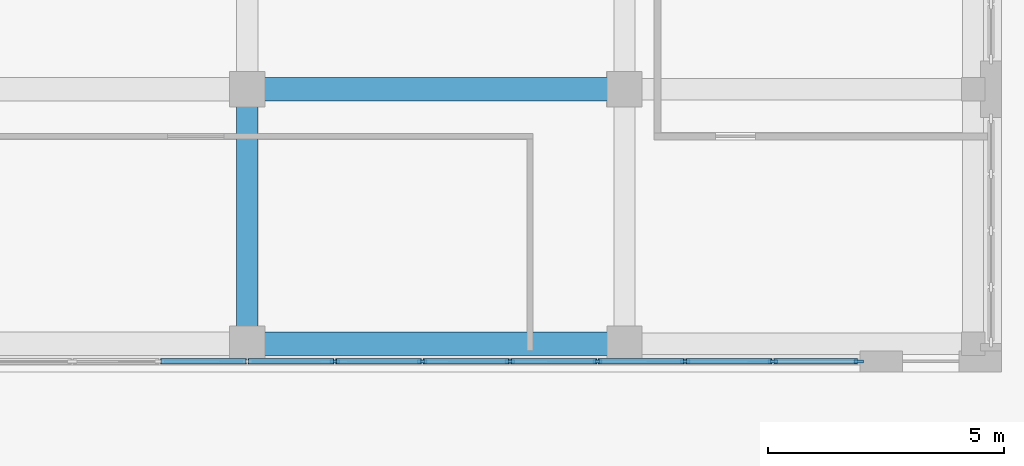
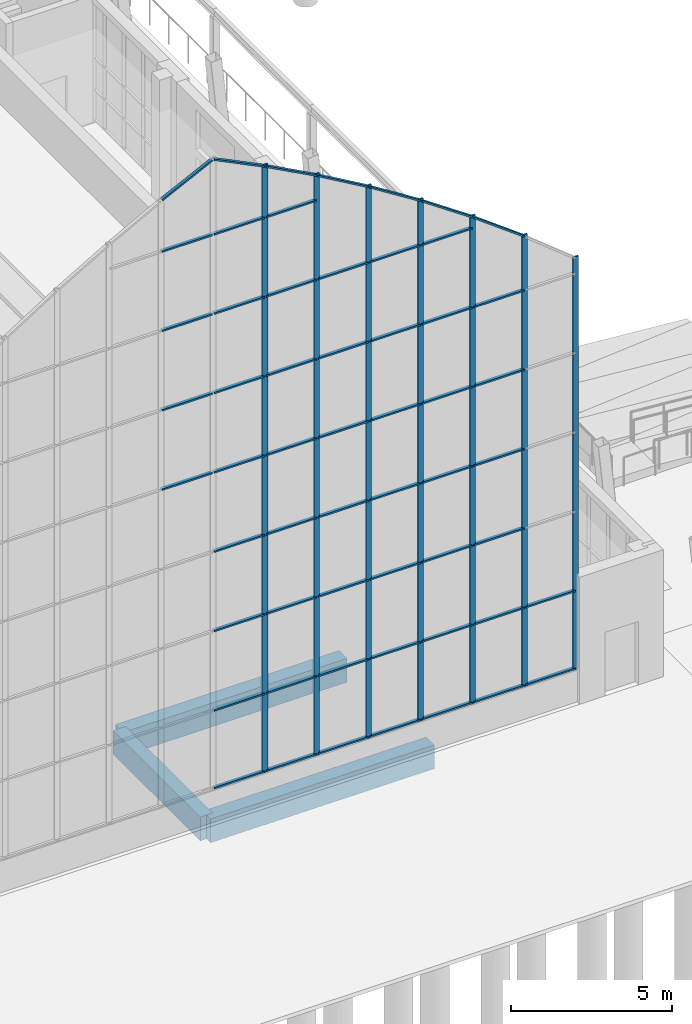
# One storey, part 26 of 144: 63 members, 3 beams, 1 element without a shape of its own.
"""IFC4 building model written with IfcOpenShell, lengths in metres."""

from ifc_helpers import new_model, si_unit, direction, frame, origin, origin_2d, place, context, subcontext, project, spatial, rectangle, extrude, material, layer, layer_set, material_profile, profile_set, type_object, element, aggregate, save


model = new_model("IFC4")

# Units and contexts
model_context = context("Model", 3, precision=1e-05, world=origin(), true_north=direction((0.0, 1.0)))
body_context = subcontext(model_context, "Body", "Model", "MODEL_VIEW")
ifc_project = project(units=[si_unit("LENGTHUNIT", "METRE"), si_unit("AREAUNIT", "SQUARE_METRE"), si_unit("VOLUMEUNIT", "CUBIC_METRE"), si_unit("PLANEANGLEUNIT", "RADIAN"), si_unit("MASSUNIT", "GRAM", prefix="KILO")], contexts=[model_context])

# Site, building, storey
site_placement = place(None, origin())
site = spatial("IfcSite", under=ifc_project, at=site_placement, CompositionType="ELEMENT")
building_placement = place(site_placement, origin())
building = spatial("IfcBuilding", under=site, at=building_placement, Name="Lantern Court Media Centre", CompositionType="ELEMENT")
storey_placement = place(building_placement, origin())
storey = spatial("IfcBuildingStorey", under=building, at=storey_placement, Name="L00", CompositionType="ELEMENT", Elevation=0.0)

# Curtain wall, members
ifc_material_1 = material(Name="Aluminium and glass", Category="aluminium")
ifc_layer = layer(ifc_material_1, 0.14990234375)
ifc_layer_set = layer_set([ifc_layer], Name="Aluminium and glass")
curtain_wall_type = type_object("IfcCurtainWallType", Name="Hall lancet glazing", PredefinedType="NOTDEFINED", material=ifc_layer_set)
curtain_wall_placement = place(storey_placement, origin())
curtain_wall = element("IfcCurtainWall", 1, at=curtain_wall_placement, inside=storey, type_object=curtain_wall_type, Name="Cinema Hall HCW-V10 glazing", PredefinedType="NOTDEFINED")
ifc_material_2 = material(Name="Aluminium, anodised", Category="aluminium")
ifc_material_profile_1 = material_profile(ifc_material_2, rectangle(XDim=0.06005859375, YDim=0.199951171875, at=origin_2d()), Name="HM")
ifc_profile_set_1 = profile_set([ifc_material_profile_1], Name="Aluminium, anodised")
member_type_1 = type_object("IfcMemberType", Name="HM", PredefinedType="MULLION", material=ifc_profile_set_1)
member_1_placement = place(storey_placement, frame((17.857177734375, -1.77490234375, 1.199951171875), z_axis=(0.0, 0.0, 1.0), x_axis=(0.0, 1.0, 0.0)))
member_1 = element("IfcMember", 2, at=member_1_placement, type_object=member_type_1, Name="HCW-V10 mullion 9", PredefinedType="MULLION", context=body_context, shape_type="SweptSolid", body=[
    extrude(rectangle(XDim=0.06005859375, YDim=0.199951171875, at=origin_2d()), origin(), (0.0, 0.0, 1.0), 22.98681640625),
])
member_2_placement = place(storey_placement, frame((19.71435546875, -1.77490234375, 1.199951171875), z_axis=(0.0, 0.0, 1.0), x_axis=(0.0, 1.0, 0.0)))
member_2 = element("IfcMember", 3, at=member_2_placement, type_object=member_type_1, Name="HCW-V10 mullion 10", PredefinedType="MULLION", context=body_context, shape_type="SweptSolid", body=[
    extrude(rectangle(XDim=0.06005859375, YDim=0.199951171875, at=origin_2d()), origin(), (0.0, 0.0, 1.0), 21.991943359375),
])
member_3_placement = place(storey_placement, frame((21.571533203125, -1.77490234375, 1.199951171875), z_axis=(0.0, 0.0, 1.0), x_axis=(0.0, 1.0, 0.0)))
member_3 = element("IfcMember", 4, at=member_3_placement, type_object=member_type_1, Name="HCW-V10 mullion 11", PredefinedType="MULLION", context=body_context, shape_type="SweptSolid", body=[
    extrude(rectangle(XDim=0.06005859375, YDim=0.199951171875, at=origin_2d()), origin(), (0.0, 0.0, 1.0), 20.910400390625),
])
member_4_placement = place(storey_placement, frame((23.428466796875, -1.77490234375, 1.199951171875), z_axis=(0.0, 0.0, 1.0), x_axis=(0.0, 1.0, 0.0)))
member_4 = element("IfcMember", 5, at=member_4_placement, type_object=member_type_1, Name="HCW-V10 mullion 12", PredefinedType="MULLION", context=body_context, shape_type="SweptSolid", body=[
    extrude(rectangle(XDim=0.06005859375, YDim=0.199951171875, at=origin_2d()), origin(), (0.0, 0.0, 1.0), 19.737060546875),
])
member_5_placement = place(storey_placement, frame((25.28564453125, -1.77490234375, 1.199951171875), z_axis=(0.0, 0.0, 1.0), x_axis=(0.0, 1.0, 0.0)))
member_5 = element("IfcMember", 6, at=member_5_placement, type_object=member_type_1, Name="HCW-V10 mullion 13", PredefinedType="MULLION", context=body_context, shape_type="SweptSolid", body=[
    extrude(rectangle(XDim=0.06005859375, YDim=0.199951171875, at=origin_2d()), origin(), (0.0, 0.0, 1.0), 18.465087890625),
])
member_6_placement = place(storey_placement, frame((27.142822265625, -1.77490234375, 1.199951171875), z_axis=(0.0, 0.0, 1.0), x_axis=(0.0, 1.0, 0.0)))
member_6 = element("IfcMember", 7, at=member_6_placement, type_object=member_type_1, Name="HCW-V10 mullion 14", PredefinedType="MULLION", context=body_context, shape_type="SweptSolid", body=[
    extrude(rectangle(XDim=0.06005859375, YDim=0.199951171875, at=origin_2d()), origin(), (0.0, 0.0, 1.0), 17.086181640625),
])
member_7_placement = place(storey_placement, frame((28.969970703125, -1.77490234375, 1.199951171875), z_axis=(0.0, 0.0, 1.0), x_axis=(0.0, 1.0, 0.0)))
member_7 = element("IfcMember", 8, at=member_7_placement, type_object=member_type_1, Name="HCW-V10 mullion 15", PredefinedType="MULLION", context=body_context, shape_type="SweptSolid", body=[
    extrude(rectangle(XDim=0.06005859375, YDim=0.199951171875, at=origin_2d()), origin(), (0.0, 0.0, 1.0), 15.616455078125),
])
ifc_material_profile_2 = material_profile(ifc_material_2, rectangle(XDim=0.1201171875, YDim=0.06005859375, at=origin_2d()), Name="HT")
ifc_profile_set_2 = profile_set([ifc_material_profile_2], Name="Aluminium, anodised")
member_type_2 = type_object("IfcMemberType", Name="HT", PredefinedType="USERDEFINED", material=ifc_profile_set_2)
member_8_placement = place(storey_placement, frame((14.1728515625, -1.77490234375, 13.199951171875), z_axis=(1.0, 0.0, 0.0), x_axis=(0.0, 1.0, 0.0)))
member_8 = element("IfcMember", 9, at=member_8_placement, type_object=member_type_2, Name="HCW-V10 transom 7.5", ObjectType="TRANSOM", PredefinedType="USERDEFINED", context=body_context, shape_type="SweptSolid", body=[
    extrude(rectangle(XDim=0.1201171875, YDim=0.06005859375, at=origin_2d()), origin(), (0.0, 0.0, 1.0), 1.797119140625),
])
member_9_placement = place(storey_placement, frame((14.1728515625, -1.77490234375, 16.199951171875), z_axis=(1.0, 0.0, 0.0), x_axis=(0.0, 1.0, 0.0)))
member_9 = element("IfcMember", 10, at=member_9_placement, type_object=member_type_2, Name="HCW-V10 transom 7.6", ObjectType="TRANSOM", PredefinedType="USERDEFINED", context=body_context, shape_type="SweptSolid", body=[
    extrude(rectangle(XDim=0.1201171875, YDim=0.06005859375, at=origin_2d()), origin(), (0.0, 0.0, 1.0), 1.797119140625),
])
member_10_placement = place(storey_placement, frame((14.1728515625, -1.77490234375, 19.199951171875), z_axis=(1.0, 0.0, 0.0), x_axis=(0.0, 1.0, 0.0)))
member_10 = element("IfcMember", 11, at=member_10_placement, type_object=member_type_2, Name="HCW-V10 transom 7.7", ObjectType="TRANSOM", PredefinedType="USERDEFINED", context=body_context, shape_type="SweptSolid", body=[
    extrude(rectangle(XDim=0.1201171875, YDim=0.06005859375, at=origin_2d()), origin(), (0.0, 0.0, 1.0), 1.797119140625),
])
member_11_placement = place(storey_placement, frame((14.1728515625, -1.77490234375, 22.199951171875), z_axis=(1.0, 0.0, 0.0), x_axis=(0.0, 1.0, 0.0)))
member_11 = element("IfcMember", 12, at=member_11_placement, type_object=member_type_2, Name="HCW-V10 transom 7.8", ObjectType="TRANSOM", PredefinedType="USERDEFINED", context=body_context, shape_type="SweptSolid", body=[
    extrude(rectangle(XDim=0.1201171875, YDim=0.06005859375, at=origin_2d()), origin(), (0.0, 0.0, 1.0), 1.797119140625),
])
member_12_placement = place(storey_placement, frame((14.1728515625, -1.77490234375, 24.14208984375), z_axis=(0.897357880306, 0.0, 0.441303562927), x_axis=(0.0, 1.0, 0.0)))
member_12 = element("IfcMember", 13, at=member_12_placement, type_object=member_type_2, Name="HCW-V10 head member 7", ObjectType="TRANSOM", PredefinedType="USERDEFINED", context=body_context, shape_type="SweptSolid", body=[
    extrude(rectangle(XDim=0.1201171875, YDim=0.06005859375, at=origin_2d()), origin(), (0.0, 0.0, 1.0), 2.002685546875),
])
member_13_placement = place(storey_placement, frame((16.030029296875, -1.77490234375, 1.260009765625), z_axis=(1.0, 0.0, 0.0), x_axis=(0.0, 1.0, 0.0)))
member_13 = element("IfcMember", 14, at=member_13_placement, type_object=member_type_2, Name="HCW-V10 transom 8.1", ObjectType="TRANSOM", PredefinedType="USERDEFINED", context=body_context, shape_type="SweptSolid", body=[
    extrude(rectangle(XDim=0.1201171875, YDim=0.06005859375, at=origin_2d()), origin(), (0.0, 0.0, 1.0), 1.797119140625),
])
member_14_placement = place(storey_placement, frame((16.030029296875, -1.77490234375, 4.199951171875), z_axis=(1.0, 0.0, 0.0), x_axis=(0.0, 1.0, 0.0)))
member_14 = element("IfcMember", 15, at=member_14_placement, type_object=member_type_2, Name="HCW-V10 transom 8.2", ObjectType="TRANSOM", PredefinedType="USERDEFINED", context=body_context, shape_type="SweptSolid", body=[
    extrude(rectangle(XDim=0.1201171875, YDim=0.06005859375, at=origin_2d()), origin(), (0.0, 0.0, 1.0), 1.797119140625),
])
member_15_placement = place(storey_placement, frame((16.030029296875, -1.77490234375, 7.199951171875), z_axis=(1.0, 0.0, 0.0), x_axis=(0.0, 1.0, 0.0)))
member_15 = element("IfcMember", 16, at=member_15_placement, type_object=member_type_2, Name="HCW-V10 transom 8.3", ObjectType="TRANSOM", PredefinedType="USERDEFINED", context=body_context, shape_type="SweptSolid", body=[
    extrude(rectangle(XDim=0.1201171875, YDim=0.06005859375, at=origin_2d()), origin(), (0.0, 0.0, 1.0), 1.797119140625),
])
member_16_placement = place(storey_placement, frame((16.030029296875, -1.77490234375, 10.199951171875), z_axis=(1.0, 0.0, 0.0), x_axis=(0.0, 1.0, 0.0)))
member_16 = element("IfcMember", 17, at=member_16_placement, type_object=member_type_2, Name="HCW-V10 transom 8.4", ObjectType="TRANSOM", PredefinedType="USERDEFINED", context=body_context, shape_type="SweptSolid", body=[
    extrude(rectangle(XDim=0.1201171875, YDim=0.06005859375, at=origin_2d()), origin(), (0.0, 0.0, 1.0), 1.797119140625),
])
member_17_placement = place(storey_placement, frame((16.030029296875, -1.77490234375, 13.199951171875), z_axis=(1.0, 0.0, 0.0), x_axis=(0.0, 1.0, 0.0)))
member_17 = element("IfcMember", 18, at=member_17_placement, type_object=member_type_2, Name="HCW-V10 transom 8.5", ObjectType="TRANSOM", PredefinedType="USERDEFINED", context=body_context, shape_type="SweptSolid", body=[
    extrude(rectangle(XDim=0.1201171875, YDim=0.06005859375, at=origin_2d()), origin(), (0.0, 0.0, 1.0), 1.797119140625),
])
member_18_placement = place(storey_placement, frame((16.030029296875, -1.77490234375, 16.199951171875), z_axis=(1.0, 0.0, 0.0), x_axis=(0.0, 1.0, 0.0)))
member_18 = element("IfcMember", 19, at=member_18_placement, type_object=member_type_2, Name="HCW-V10 transom 8.6", ObjectType="TRANSOM", PredefinedType="USERDEFINED", context=body_context, shape_type="SweptSolid", body=[
    extrude(rectangle(XDim=0.1201171875, YDim=0.06005859375, at=origin_2d()), origin(), (0.0, 0.0, 1.0), 1.797119140625),
])
member_19_placement = place(storey_placement, frame((16.030029296875, -1.77490234375, 19.199951171875), z_axis=(1.0, 0.0, 0.0), x_axis=(0.0, 1.0, 0.0)))
member_19 = element("IfcMember", 20, at=member_19_placement, type_object=member_type_2, Name="HCW-V10 transom 8.7", ObjectType="TRANSOM", PredefinedType="USERDEFINED", context=body_context, shape_type="SweptSolid", body=[
    extrude(rectangle(XDim=0.1201171875, YDim=0.06005859375, at=origin_2d()), origin(), (0.0, 0.0, 1.0), 1.797119140625),
])
member_20_placement = place(storey_placement, frame((16.030029296875, -1.77490234375, 22.199951171875), z_axis=(1.0, 0.0, 0.0), x_axis=(0.0, 1.0, 0.0)))
member_20 = element("IfcMember", 21, at=member_20_placement, type_object=member_type_2, Name="HCW-V10 transom 8.8", ObjectType="TRANSOM", PredefinedType="USERDEFINED", context=body_context, shape_type="SweptSolid", body=[
    extrude(rectangle(XDim=0.1201171875, YDim=0.06005859375, at=origin_2d()), origin(), (0.0, 0.0, 1.0), 1.797119140625),
])
member_21_placement = place(storey_placement, frame((16.030029296875, -1.77490234375, 25.02587890625), z_axis=(0.897357880306, 0.0, -0.441303562927), x_axis=(0.0, 1.0, 0.0)))
member_21 = element("IfcMember", 22, at=member_21_placement, type_object=member_type_2, Name="HCW-V10 head member 8", ObjectType="TRANSOM", PredefinedType="USERDEFINED", context=body_context, shape_type="SweptSolid", body=[
    extrude(rectangle(XDim=0.1201171875, YDim=0.06005859375, at=origin_2d()), origin(), (0.0, 0.0, 1.0), 2.002685546875),
])
member_22_placement = place(storey_placement, frame((17.88720703125, -1.77490234375, 1.260009765625), z_axis=(1.0, 0.0, 0.0), x_axis=(0.0, 1.0, 0.0)))
member_22 = element("IfcMember", 23, at=member_22_placement, type_object=member_type_2, Name="HCW-V10 transom 9.1", ObjectType="TRANSOM", PredefinedType="USERDEFINED", context=body_context, shape_type="SweptSolid", body=[
    extrude(rectangle(XDim=0.1201171875, YDim=0.06005859375, at=origin_2d()), origin(), (0.0, 0.0, 1.0), 1.797119140625),
])
member_23_placement = place(storey_placement, frame((17.88720703125, -1.77490234375, 4.199951171875), z_axis=(1.0, 0.0, 0.0), x_axis=(0.0, 1.0, 0.0)))
member_23 = element("IfcMember", 24, at=member_23_placement, type_object=member_type_2, Name="HCW-V10 transom 9.2", ObjectType="TRANSOM", PredefinedType="USERDEFINED", context=body_context, shape_type="SweptSolid", body=[
    extrude(rectangle(XDim=0.1201171875, YDim=0.06005859375, at=origin_2d()), origin(), (0.0, 0.0, 1.0), 1.797119140625),
])
member_24_placement = place(storey_placement, frame((17.88720703125, -1.77490234375, 7.199951171875), z_axis=(1.0, 0.0, 0.0), x_axis=(0.0, 1.0, 0.0)))
member_24 = element("IfcMember", 25, at=member_24_placement, type_object=member_type_2, Name="HCW-V10 transom 9.3", ObjectType="TRANSOM", PredefinedType="USERDEFINED", context=body_context, shape_type="SweptSolid", body=[
    extrude(rectangle(XDim=0.1201171875, YDim=0.06005859375, at=origin_2d()), origin(), (0.0, 0.0, 1.0), 1.797119140625),
])
member_25_placement = place(storey_placement, frame((17.88720703125, -1.77490234375, 10.199951171875), z_axis=(1.0, 0.0, 0.0), x_axis=(0.0, 1.0, 0.0)))
member_25 = element("IfcMember", 26, at=member_25_placement, type_object=member_type_2, Name="HCW-V10 transom 9.4", ObjectType="TRANSOM", PredefinedType="USERDEFINED", context=body_context, shape_type="SweptSolid", body=[
    extrude(rectangle(XDim=0.1201171875, YDim=0.06005859375, at=origin_2d()), origin(), (0.0, 0.0, 1.0), 1.797119140625),
])
member_26_placement = place(storey_placement, frame((17.88720703125, -1.77490234375, 13.199951171875), z_axis=(1.0, 0.0, 0.0), x_axis=(0.0, 1.0, 0.0)))
member_26 = element("IfcMember", 27, at=member_26_placement, type_object=member_type_2, Name="HCW-V10 transom 9.5", ObjectType="TRANSOM", PredefinedType="USERDEFINED", context=body_context, shape_type="SweptSolid", body=[
    extrude(rectangle(XDim=0.1201171875, YDim=0.06005859375, at=origin_2d()), origin(), (0.0, 0.0, 1.0), 1.797119140625),
])
member_27_placement = place(storey_placement, frame((17.88720703125, -1.77490234375, 16.199951171875), z_axis=(1.0, 0.0, 0.0), x_axis=(0.0, 1.0, 0.0)))
member_27 = element("IfcMember", 28, at=member_27_placement, type_object=member_type_2, Name="HCW-V10 transom 9.6", ObjectType="TRANSOM", PredefinedType="USERDEFINED", context=body_context, shape_type="SweptSolid", body=[
    extrude(rectangle(XDim=0.1201171875, YDim=0.06005859375, at=origin_2d()), origin(), (0.0, 0.0, 1.0), 1.797119140625),
])
member_28_placement = place(storey_placement, frame((17.88720703125, -1.77490234375, 19.199951171875), z_axis=(1.0, 0.0, 0.0), x_axis=(0.0, 1.0, 0.0)))
member_28 = element("IfcMember", 29, at=member_28_placement, type_object=member_type_2, Name="HCW-V10 transom 9.7", ObjectType="TRANSOM", PredefinedType="USERDEFINED", context=body_context, shape_type="SweptSolid", body=[
    extrude(rectangle(XDim=0.1201171875, YDim=0.06005859375, at=origin_2d()), origin(), (0.0, 0.0, 1.0), 1.797119140625),
])
member_29_placement = place(storey_placement, frame((17.88720703125, -1.77490234375, 22.199951171875), z_axis=(1.0, 0.0, 0.0), x_axis=(0.0, 1.0, 0.0)))
member_29 = element("IfcMember", 30, at=member_29_placement, type_object=member_type_2, Name="HCW-V10 transom 9.8", ObjectType="TRANSOM", PredefinedType="USERDEFINED", context=body_context, shape_type="SweptSolid", body=[
    extrude(rectangle(XDim=0.1201171875, YDim=0.06005859375, at=origin_2d()), origin(), (0.0, 0.0, 1.0), 1.797119140625),
])
member_30_placement = place(storey_placement, frame((17.88720703125, -1.77490234375, 24.111328125), z_axis=(0.881499552218, 0.0, -0.472184857274), x_axis=(0.0, 1.0, 0.0)))
member_30 = element("IfcMember", 31, at=member_30_placement, type_object=member_type_2, Name="HCW-V10 head member 9", ObjectType="TRANSOM", PredefinedType="USERDEFINED", context=body_context, shape_type="SweptSolid", body=[
    extrude(rectangle(XDim=0.1201171875, YDim=0.06005859375, at=origin_2d()), origin(), (0.0, 0.0, 1.0), 2.038818359375),
])
member_31_placement = place(storey_placement, frame((19.744384765625, -1.77490234375, 1.260009765625), z_axis=(1.0, 0.0, 0.0), x_axis=(0.0, 1.0, 0.0)))
member_31 = element("IfcMember", 32, at=member_31_placement, type_object=member_type_2, Name="HCW-V10 transom 10.1", ObjectType="TRANSOM", PredefinedType="USERDEFINED", context=body_context, shape_type="SweptSolid", body=[
    extrude(rectangle(XDim=0.1201171875, YDim=0.06005859375, at=origin_2d()), origin(), (0.0, 0.0, 1.0), 1.797119140625),
])
member_32_placement = place(storey_placement, frame((19.744384765625, -1.77490234375, 4.199951171875), z_axis=(1.0, 0.0, 0.0), x_axis=(0.0, 1.0, 0.0)))
member_32 = element("IfcMember", 33, at=member_32_placement, type_object=member_type_2, Name="HCW-V10 transom 10.2", ObjectType="TRANSOM", PredefinedType="USERDEFINED", context=body_context, shape_type="SweptSolid", body=[
    extrude(rectangle(XDim=0.1201171875, YDim=0.06005859375, at=origin_2d()), origin(), (0.0, 0.0, 1.0), 1.797119140625),
])
member_33_placement = place(storey_placement, frame((19.744384765625, -1.77490234375, 7.199951171875), z_axis=(1.0, 0.0, 0.0), x_axis=(0.0, 1.0, 0.0)))
member_33 = element("IfcMember", 34, at=member_33_placement, type_object=member_type_2, Name="HCW-V10 transom 10.3", ObjectType="TRANSOM", PredefinedType="USERDEFINED", context=body_context, shape_type="SweptSolid", body=[
    extrude(rectangle(XDim=0.1201171875, YDim=0.06005859375, at=origin_2d()), origin(), (0.0, 0.0, 1.0), 1.797119140625),
])
member_34_placement = place(storey_placement, frame((19.744384765625, -1.77490234375, 10.199951171875), z_axis=(1.0, 0.0, 0.0), x_axis=(0.0, 1.0, 0.0)))
member_34 = element("IfcMember", 35, at=member_34_placement, type_object=member_type_2, Name="HCW-V10 transom 10.4", ObjectType="TRANSOM", PredefinedType="USERDEFINED", context=body_context, shape_type="SweptSolid", body=[
    extrude(rectangle(XDim=0.1201171875, YDim=0.06005859375, at=origin_2d()), origin(), (0.0, 0.0, 1.0), 1.797119140625),
])
member_35_placement = place(storey_placement, frame((19.744384765625, -1.77490234375, 13.199951171875), z_axis=(1.0, 0.0, 0.0), x_axis=(0.0, 1.0, 0.0)))
member_35 = element("IfcMember", 36, at=member_35_placement, type_object=member_type_2, Name="HCW-V10 transom 10.5", ObjectType="TRANSOM", PredefinedType="USERDEFINED", context=body_context, shape_type="SweptSolid", body=[
    extrude(rectangle(XDim=0.1201171875, YDim=0.06005859375, at=origin_2d()), origin(), (0.0, 0.0, 1.0), 1.797119140625),
])
member_36_placement = place(storey_placement, frame((19.744384765625, -1.77490234375, 16.199951171875), z_axis=(1.0, 0.0, 0.0), x_axis=(0.0, 1.0, 0.0)))
member_36 = element("IfcMember", 37, at=member_36_placement, type_object=member_type_2, Name="HCW-V10 transom 10.6", ObjectType="TRANSOM", PredefinedType="USERDEFINED", context=body_context, shape_type="SweptSolid", body=[
    extrude(rectangle(XDim=0.1201171875, YDim=0.06005859375, at=origin_2d()), origin(), (0.0, 0.0, 1.0), 1.797119140625),
])
member_37_placement = place(storey_placement, frame((19.744384765625, -1.77490234375, 19.199951171875), z_axis=(1.0, 0.0, 0.0), x_axis=(0.0, 1.0, 0.0)))
member_37 = element("IfcMember", 38, at=member_37_placement, type_object=member_type_2, Name="HCW-V10 transom 10.7", ObjectType="TRANSOM", PredefinedType="USERDEFINED", context=body_context, shape_type="SweptSolid", body=[
    extrude(rectangle(XDim=0.1201171875, YDim=0.06005859375, at=origin_2d()), origin(), (0.0, 0.0, 1.0), 1.797119140625),
])
member_38_placement = place(storey_placement, frame((19.744384765625, -1.77490234375, 23.114990234375), z_axis=(0.864183136309, 0.0, -0.503177410979), x_axis=(0.0, 1.0, 0.0)))
member_38 = element("IfcMember", 39, at=member_38_placement, type_object=member_type_2, Name="HCW-V10 head member 10", ObjectType="TRANSOM", PredefinedType="USERDEFINED", context=body_context, shape_type="SweptSolid", body=[
    extrude(rectangle(XDim=0.1201171875, YDim=0.06005859375, at=origin_2d()), origin(), (0.0, 0.0, 1.0), 2.07958984375),
])
member_39_placement = place(storey_placement, frame((21.601318359375, -1.77490234375, 1.260009765625), z_axis=(1.0, 0.0, 0.0), x_axis=(0.0, 1.0, 0.0)))
member_39 = element("IfcMember", 40, at=member_39_placement, type_object=member_type_2, Name="HCW-V10 transom 11.1", ObjectType="TRANSOM", PredefinedType="USERDEFINED", context=body_context, shape_type="SweptSolid", body=[
    extrude(rectangle(XDim=0.1201171875, YDim=0.06005859375, at=origin_2d()), origin(), (0.0, 0.0, 1.0), 1.79736328125),
])
member_40_placement = place(storey_placement, frame((21.601318359375, -1.77490234375, 4.199951171875), z_axis=(1.0, 0.0, 0.0), x_axis=(0.0, 1.0, 0.0)))
member_40 = element("IfcMember", 41, at=member_40_placement, type_object=member_type_2, Name="HCW-V10 transom 11.2", ObjectType="TRANSOM", PredefinedType="USERDEFINED", context=body_context, shape_type="SweptSolid", body=[
    extrude(rectangle(XDim=0.1201171875, YDim=0.06005859375, at=origin_2d()), origin(), (0.0, 0.0, 1.0), 1.79736328125),
])
member_41_placement = place(storey_placement, frame((21.601318359375, -1.77490234375, 7.199951171875), z_axis=(1.0, 0.0, 0.0), x_axis=(0.0, 1.0, 0.0)))
member_41 = element("IfcMember", 42, at=member_41_placement, type_object=member_type_2, Name="HCW-V10 transom 11.3", ObjectType="TRANSOM", PredefinedType="USERDEFINED", context=body_context, shape_type="SweptSolid", body=[
    extrude(rectangle(XDim=0.1201171875, YDim=0.06005859375, at=origin_2d()), origin(), (0.0, 0.0, 1.0), 1.79736328125),
])
member_42_placement = place(storey_placement, frame((21.601318359375, -1.77490234375, 10.199951171875), z_axis=(1.0, 0.0, 0.0), x_axis=(0.0, 1.0, 0.0)))
member_42 = element("IfcMember", 43, at=member_42_placement, type_object=member_type_2, Name="HCW-V10 transom 11.4", ObjectType="TRANSOM", PredefinedType="USERDEFINED", context=body_context, shape_type="SweptSolid", body=[
    extrude(rectangle(XDim=0.1201171875, YDim=0.06005859375, at=origin_2d()), origin(), (0.0, 0.0, 1.0), 1.79736328125),
])
member_43_placement = place(storey_placement, frame((21.601318359375, -1.77490234375, 13.199951171875), z_axis=(1.0, 0.0, 0.0), x_axis=(0.0, 1.0, 0.0)))
member_43 = element("IfcMember", 44, at=member_43_placement, type_object=member_type_2, Name="HCW-V10 transom 11.5", ObjectType="TRANSOM", PredefinedType="USERDEFINED", context=body_context, shape_type="SweptSolid", body=[
    extrude(rectangle(XDim=0.1201171875, YDim=0.06005859375, at=origin_2d()), origin(), (0.0, 0.0, 1.0), 1.79736328125),
])
member_44_placement = place(storey_placement, frame((21.601318359375, -1.77490234375, 16.199951171875), z_axis=(1.0, 0.0, 0.0), x_axis=(0.0, 1.0, 0.0)))
member_44 = element("IfcMember", 45, at=member_44_placement, type_object=member_type_2, Name="HCW-V10 transom 11.6", ObjectType="TRANSOM", PredefinedType="USERDEFINED", context=body_context, shape_type="SweptSolid", body=[
    extrude(rectangle(XDim=0.1201171875, YDim=0.06005859375, at=origin_2d()), origin(), (0.0, 0.0, 1.0), 1.79736328125),
])
member_45_placement = place(storey_placement, frame((21.601318359375, -1.77490234375, 19.199951171875), z_axis=(1.0, 0.0, 0.0), x_axis=(0.0, 1.0, 0.0)))
member_45 = element("IfcMember", 46, at=member_45_placement, type_object=member_type_2, Name="HCW-V10 transom 11.7", ObjectType="TRANSOM", PredefinedType="USERDEFINED", context=body_context, shape_type="SweptSolid", body=[
    extrude(rectangle(XDim=0.1201171875, YDim=0.06005859375, at=origin_2d()), origin(), (0.0, 0.0, 1.0), 1.79736328125),
])
member_46_placement = place(storey_placement, frame((21.601318359375, -1.77490234375, 22.0322265625), z_axis=(0.845420676883, 0.0, -0.53410100084), x_axis=(0.0, 1.0, 0.0)))
member_46 = element("IfcMember", 47, at=member_46_placement, type_object=member_type_2, Name="HCW-V10 head member 11", ObjectType="TRANSOM", PredefinedType="USERDEFINED", context=body_context, shape_type="SweptSolid", body=[
    extrude(rectangle(XDim=0.1201171875, YDim=0.06005859375, at=origin_2d()), origin(), (0.0, 0.0, 1.0), 2.1259765625),
])
member_47_placement = place(storey_placement, frame((23.45849609375, -1.77490234375, 1.260009765625), z_axis=(1.0, 0.0, 0.0), x_axis=(0.0, 1.0, 0.0)))
member_47 = element("IfcMember", 48, at=member_47_placement, type_object=member_type_2, Name="HCW-V10 transom 12.1", ObjectType="TRANSOM", PredefinedType="USERDEFINED", context=body_context, shape_type="SweptSolid", body=[
    extrude(rectangle(XDim=0.1201171875, YDim=0.06005859375, at=origin_2d()), origin(), (0.0, 0.0, 1.0), 1.797119140625),
])
member_48_placement = place(storey_placement, frame((23.45849609375, -1.77490234375, 4.199951171875), z_axis=(1.0, 0.0, 0.0), x_axis=(0.0, 1.0, 0.0)))
member_48 = element("IfcMember", 49, at=member_48_placement, type_object=member_type_2, Name="HCW-V10 transom 12.2", ObjectType="TRANSOM", PredefinedType="USERDEFINED", context=body_context, shape_type="SweptSolid", body=[
    extrude(rectangle(XDim=0.1201171875, YDim=0.06005859375, at=origin_2d()), origin(), (0.0, 0.0, 1.0), 1.797119140625),
])
member_49_placement = place(storey_placement, frame((23.45849609375, -1.77490234375, 7.199951171875), z_axis=(1.0, 0.0, 0.0), x_axis=(0.0, 1.0, 0.0)))
member_49 = element("IfcMember", 50, at=member_49_placement, type_object=member_type_2, Name="HCW-V10 transom 12.3", ObjectType="TRANSOM", PredefinedType="USERDEFINED", context=body_context, shape_type="SweptSolid", body=[
    extrude(rectangle(XDim=0.1201171875, YDim=0.06005859375, at=origin_2d()), origin(), (0.0, 0.0, 1.0), 1.797119140625),
])
member_50_placement = place(storey_placement, frame((23.45849609375, -1.77490234375, 10.199951171875), z_axis=(1.0, 0.0, 0.0), x_axis=(0.0, 1.0, 0.0)))
member_50 = element("IfcMember", 51, at=member_50_placement, type_object=member_type_2, Name="HCW-V10 transom 12.4", ObjectType="TRANSOM", PredefinedType="USERDEFINED", context=body_context, shape_type="SweptSolid", body=[
    extrude(rectangle(XDim=0.1201171875, YDim=0.06005859375, at=origin_2d()), origin(), (0.0, 0.0, 1.0), 1.797119140625),
])
member_51_placement = place(storey_placement, frame((23.45849609375, -1.77490234375, 13.199951171875), z_axis=(1.0, 0.0, 0.0), x_axis=(0.0, 1.0, 0.0)))
member_51 = element("IfcMember", 52, at=member_51_placement, type_object=member_type_2, Name="HCW-V10 transom 12.5", ObjectType="TRANSOM", PredefinedType="USERDEFINED", context=body_context, shape_type="SweptSolid", body=[
    extrude(rectangle(XDim=0.1201171875, YDim=0.06005859375, at=origin_2d()), origin(), (0.0, 0.0, 1.0), 1.797119140625),
])
member_52_placement = place(storey_placement, frame((23.45849609375, -1.77490234375, 16.199951171875), z_axis=(1.0, 0.0, 0.0), x_axis=(0.0, 1.0, 0.0)))
member_52 = element("IfcMember", 53, at=member_52_placement, type_object=member_type_2, Name="HCW-V10 transom 12.6", ObjectType="TRANSOM", PredefinedType="USERDEFINED", context=body_context, shape_type="SweptSolid", body=[
    extrude(rectangle(XDim=0.1201171875, YDim=0.06005859375, at=origin_2d()), origin(), (0.0, 0.0, 1.0), 1.797119140625),
])
member_53_placement = place(storey_placement, frame((23.45849609375, -1.77490234375, 19.199951171875), z_axis=(1.0, 0.0, 0.0), x_axis=(0.0, 1.0, 0.0)))
member_53 = element("IfcMember", 54, at=member_53_placement, type_object=member_type_2, Name="HCW-V10 transom 12.7", ObjectType="TRANSOM", PredefinedType="USERDEFINED", context=body_context, shape_type="SweptSolid", body=[
    extrude(rectangle(XDim=0.1201171875, YDim=0.06005859375, at=origin_2d()), origin(), (0.0, 0.0, 1.0), 1.797119140625),
])
member_54_placement = place(storey_placement, frame((23.45849609375, -1.77490234375, 20.857177734375), z_axis=(0.825018495386, 0.0, -0.565105726631), x_axis=(0.0, 1.0, 0.0)))
member_54 = element("IfcMember", 55, at=member_54_placement, type_object=member_type_2, Name="HCW-V10 head member 12", ObjectType="TRANSOM", PredefinedType="USERDEFINED", context=body_context, shape_type="SweptSolid", body=[
    extrude(rectangle(XDim=0.1201171875, YDim=0.06005859375, at=origin_2d()), origin(), (0.0, 0.0, 1.0), 2.17822265625),
])
member_55_placement = place(storey_placement, frame((25.315673828125, -1.77490234375, 1.260009765625), z_axis=(1.0, 0.0, 0.0), x_axis=(0.0, 1.0, 0.0)))
member_55 = element("IfcMember", 56, at=member_55_placement, type_object=member_type_2, Name="HCW-V10 transom 13.1", ObjectType="TRANSOM", PredefinedType="USERDEFINED", context=body_context, shape_type="SweptSolid", body=[
    extrude(rectangle(XDim=0.1201171875, YDim=0.06005859375, at=origin_2d()), origin(), (0.0, 0.0, 1.0), 1.797119140625),
])
member_56_placement = place(storey_placement, frame((25.315673828125, -1.77490234375, 4.199951171875), z_axis=(1.0, 0.0, 0.0), x_axis=(0.0, 1.0, 0.0)))
member_56 = element("IfcMember", 57, at=member_56_placement, type_object=member_type_2, Name="HCW-V10 transom 13.2", ObjectType="TRANSOM", PredefinedType="USERDEFINED", context=body_context, shape_type="SweptSolid", body=[
    extrude(rectangle(XDim=0.1201171875, YDim=0.06005859375, at=origin_2d()), origin(), (0.0, 0.0, 1.0), 1.797119140625),
])
member_57_placement = place(storey_placement, frame((25.315673828125, -1.77490234375, 7.199951171875), z_axis=(1.0, 0.0, 0.0), x_axis=(0.0, 1.0, 0.0)))
member_57 = element("IfcMember", 58, at=member_57_placement, type_object=member_type_2, Name="HCW-V10 transom 13.3", ObjectType="TRANSOM", PredefinedType="USERDEFINED", context=body_context, shape_type="SweptSolid", body=[
    extrude(rectangle(XDim=0.1201171875, YDim=0.06005859375, at=origin_2d()), origin(), (0.0, 0.0, 1.0), 1.797119140625),
])
member_58_placement = place(storey_placement, frame((25.315673828125, -1.77490234375, 10.199951171875), z_axis=(1.0, 0.0, 0.0), x_axis=(0.0, 1.0, 0.0)))
member_58 = element("IfcMember", 59, at=member_58_placement, type_object=member_type_2, Name="HCW-V10 transom 13.4", ObjectType="TRANSOM", PredefinedType="USERDEFINED", context=body_context, shape_type="SweptSolid", body=[
    extrude(rectangle(XDim=0.1201171875, YDim=0.06005859375, at=origin_2d()), origin(), (0.0, 0.0, 1.0), 1.797119140625),
])
member_59_placement = place(storey_placement, frame((25.315673828125, -1.77490234375, 13.199951171875), z_axis=(1.0, 0.0, 0.0), x_axis=(0.0, 1.0, 0.0)))
member_59 = element("IfcMember", 60, at=member_59_placement, type_object=member_type_2, Name="HCW-V10 transom 13.5", ObjectType="TRANSOM", PredefinedType="USERDEFINED", context=body_context, shape_type="SweptSolid", body=[
    extrude(rectangle(XDim=0.1201171875, YDim=0.06005859375, at=origin_2d()), origin(), (0.0, 0.0, 1.0), 1.797119140625),
])
member_60_placement = place(storey_placement, frame((25.315673828125, -1.77490234375, 16.199951171875), z_axis=(1.0, 0.0, 0.0), x_axis=(0.0, 1.0, 0.0)))
member_60 = element("IfcMember", 61, at=member_60_placement, type_object=member_type_2, Name="HCW-V10 transom 13.6", ObjectType="TRANSOM", PredefinedType="USERDEFINED", context=body_context, shape_type="SweptSolid", body=[
    extrude(rectangle(XDim=0.1201171875, YDim=0.06005859375, at=origin_2d()), origin(), (0.0, 0.0, 1.0), 1.797119140625),
])
member_61_placement = place(storey_placement, frame((25.315673828125, -1.77490234375, 19.58349609375), z_axis=(0.802961616558, 0.0, -0.596030739421), x_axis=(0.0, 1.0, 0.0)))
member_61 = element("IfcMember", 62, at=member_61_placement, type_object=member_type_2, Name="HCW-V10 head member 13", ObjectType="TRANSOM", PredefinedType="USERDEFINED", context=body_context, shape_type="SweptSolid", body=[
    extrude(rectangle(XDim=0.1201171875, YDim=0.06005859375, at=origin_2d()), origin(), (0.0, 0.0, 1.0), 2.238037109375),
])
member_62_placement = place(storey_placement, frame((27.1728515625, -1.77490234375, 1.260009765625), z_axis=(1.0, 0.0, 0.0), x_axis=(0.0, 1.0, 0.0)))
member_62 = element("IfcMember", 63, at=member_62_placement, type_object=member_type_2, Name="HCW-V10 transom 14.1", ObjectType="TRANSOM", PredefinedType="USERDEFINED", context=body_context, shape_type="SweptSolid", body=[
    extrude(rectangle(XDim=0.1201171875, YDim=0.06005859375, at=origin_2d()), origin(), (0.0, 0.0, 1.0), 1.76708984375),
])
member_63_placement = place(storey_placement, frame((27.1728515625, -1.77490234375, 4.199951171875), z_axis=(1.0, 0.0, 0.0), x_axis=(0.0, 1.0, 0.0)))
member_63 = element("IfcMember", 64, at=member_63_placement, type_object=member_type_2, Name="HCW-V10 transom 14.2", ObjectType="TRANSOM", PredefinedType="USERDEFINED", context=body_context, shape_type="SweptSolid", body=[
    extrude(rectangle(XDim=0.1201171875, YDim=0.06005859375, at=origin_2d()), origin(), (0.0, 0.0, 1.0), 1.76708984375),
])
aggregate(curtain_wall, [member_1, member_2, member_3, member_4, member_5, member_6, member_7, member_8, member_9, member_10, member_11, member_12, member_13, member_14, member_15, member_16, member_17, member_18, member_19, member_20, member_21, member_22, member_23, member_24, member_25, member_26, member_27, member_28, member_29, member_30, member_31, member_32, member_33, member_34, member_35, member_36, member_37, member_38, member_39, member_40, member_41, member_42, member_43, member_44, member_45, member_46, member_47, member_48, member_49, member_50, member_51, member_52, member_53, member_54, member_55, member_56, member_57, member_58, member_59, member_60, member_61, member_62, member_63])

# Beams
ifc_material_3 = material(Name="Concrete C35", Category="concrete")
ifc_material_profile_3 = material_profile(ifc_material_3, rectangle(XDim=0.449951171875, YDim=0.89990234375, at=origin_2d()), Name="RC 450x900")
ifc_profile_set_3 = profile_set([ifc_material_profile_3], Name="Concrete C35")
beam_type_1 = type_object("IfcBeamType", Name="RC BEAM 450x900", PredefinedType="BEAM", material=ifc_profile_set_3)
beam_placement = place(storey_placement, frame((16.0, -1.39990234375, -0.449951171875), z_axis=(0.0, 1.0, 0.0), x_axis=(-1.0, 0.0, 0.0)))
element("IfcBeam", 65, at=beam_placement, inside=storey, type_object=beam_type_1, Name="HB-V1-L00-PY2-0", PredefinedType="BEAM", context=body_context, shape_type="SweptSolid", body=[
    extrude(rectangle(XDim=0.449951171875, YDim=0.89990234375, at=origin_2d()), origin(), (0.0, 0.0, 1.0), 5.39990234375),
])
ifc_material_profile_4 = material_profile(ifc_material_3, rectangle(XDim=0.5, YDim=0.89990234375, at=origin_2d()), Name="RC 500x900")
ifc_profile_set_4 = profile_set([ifc_material_profile_4], Name="Concrete C35")
beam_type_2 = type_object("IfcBeamType", Name="RC BEAM 500x900", PredefinedType="BEAM", material=ifc_profile_set_4)
for number, where, z_axis, x_axis, name in (
    (66, (16.0, -1.39990234375, -0.449951171875), (1.0, 0.0, 0.0), (0.0, 1.0, 0.0), "HB-V1-L00-PX0-2"),
    (67, (16.0, 4.0, -0.449951171875), (1.0, 0.0, 0.0), (0.0, 1.0, 0.0), "HB-V1-L00-PX1-2"),
):
    element("IfcBeam", number, at=place(storey_placement, frame(where, z_axis=z_axis, x_axis=x_axis)), inside=storey, type_object=beam_type_2, Name=name, PredefinedType="BEAM", context=body_context, shape_type="SweptSolid", body=[
        extrude(rectangle(XDim=0.5, YDim=0.89990234375, at=origin_2d()), origin(), (0.0, 0.0, 1.0), 8.0),
    ])

save(model, "model.ifc")
